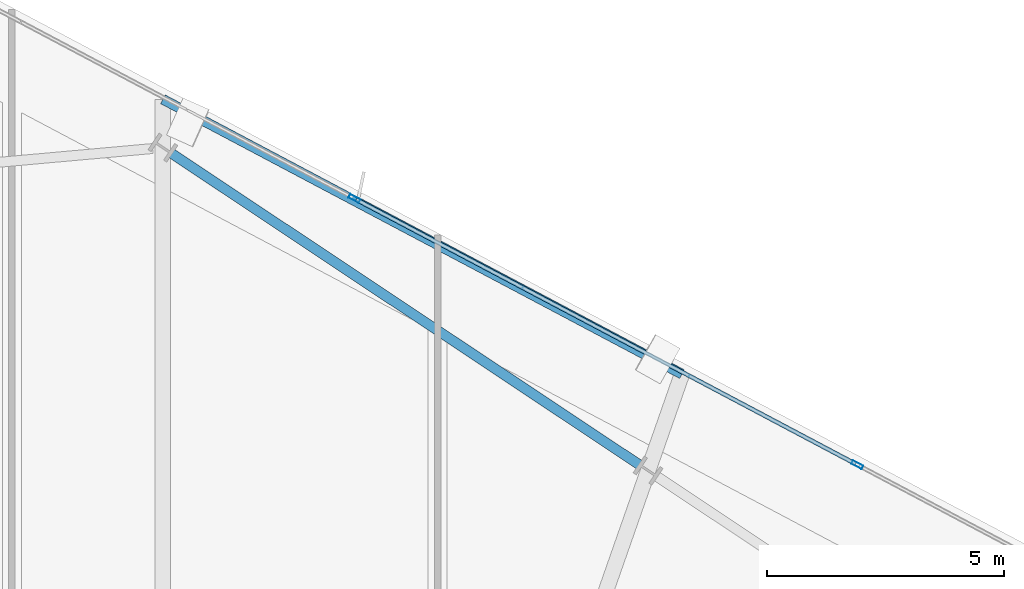
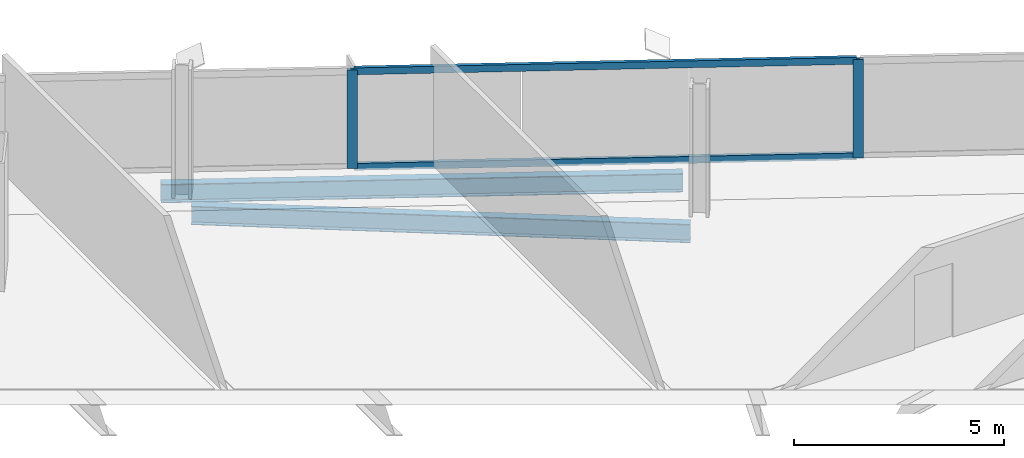
# One storey, part 18 of 28: 4 members, 2 beams, 1 element without a shape of its own.
"""IFC4 building model written with IfcOpenShell, lengths in metres."""

from ifc_helpers import new_model, si_unit, direction, frame, origin, origin_2d, place, context, subcontext, project, spatial, hollow_rectangle, i_section, extrude, material, material_profile, profile_set, type_object, element, aggregate, save


model = new_model("IFC4")

# Units and contexts
model_context = context("Model", 3, precision=1e-05, world=origin(), true_north=direction((0.0, 1.0)))
body_context = subcontext(model_context, "Body", "Model", "MODEL_VIEW")
ifc_project = project(units=[si_unit("LENGTHUNIT", "METRE"), si_unit("AREAUNIT", "SQUARE_METRE"), si_unit("VOLUMEUNIT", "CUBIC_METRE"), si_unit("PLANEANGLEUNIT", "RADIAN"), si_unit("MASSUNIT", "GRAM", prefix="KILO")], contexts=[model_context])

# Site, building, storey
site_placement = place(None, origin())
site = spatial("IfcSite", under=ifc_project, at=site_placement, CompositionType="ELEMENT")
building_placement = place(site_placement, origin())
building = spatial("IfcBuilding", under=site, at=building_placement, Name="Haldenkirk Collegiate Tower", CompositionType="ELEMENT")
storey_placement = place(building_placement, frame((0.0, 0.0, 235.949951171875)))
storey = spatial("IfcBuildingStorey", under=building, at=storey_placement, Name="L59", CompositionType="ELEMENT", Elevation=235.949951171875)

# Beams
ifc_material_1 = material(Name="Steel ASTM A992 Grade 50", Category="steel")
ifc_material_profile_1 = material_profile(ifc_material_1, i_section(OverallWidth=0.2099609375, OverallDepth=0.537109375, WebThickness=0.010986328125, FlangeThickness=0.017333984375, at=origin_2d()), Name="W21X68")
ifc_profile_set_1 = profile_set([ifc_material_profile_1], Name="Steel ASTM A992 Grade 50")
beam_type = type_object("IfcBeamType", Name="BM-SPANDREL-W21X68", PredefinedType="SPANDREL", material=ifc_profile_set_1)
beam_1_placement = place(storey_placement, frame((48.266845703125, 43.96240234375, -0.54833984375), z_axis=(-0.832429330124, 0.554131221237, 0.0), x_axis=(-0.554131221237, -0.832429330124, 0.0)))
element("IfcBeam", 1, at=beam_1_placement, inside=storey, type_object=beam_type, Name="L59 perimeter spandrel beam 07", PredefinedType="SPANDREL", context=body_context, shape_type="SweptSolid", body=[
    extrude(i_section(OverallWidth=0.2099609375, OverallDepth=0.537109375, WebThickness=0.010986328125, FlangeThickness=0.017333984375, at=origin_2d()), origin(), (0.0, 0.0, 1.0), 11.88525390625),
])
beam_2_placement = place(storey_placement, frame((49.162109375, 45.882080078125, -0.54833984375), z_axis=(-0.88377164858, 0.467918447132, 0.0), x_axis=(-0.467918447132, -0.88377164858, 0.0)))
element("IfcBeam", 2, at=beam_2_placement, inside=storey, type_object=beam_type, Name="L59 outer facade edge beam 2", PredefinedType="SPANDREL", context=body_context, shape_type="SweptSolid", body=[
    extrude(i_section(OverallWidth=0.2099609375, OverallDepth=0.537109375, WebThickness=0.010986328125, FlangeThickness=0.017333984375, at=origin_2d()), origin(), (0.0, 0.0, 1.0), 12.412109375),
])

# Curtain wall, members
ifc_material_2 = material(Name="Anodised architectural bronze aluminium", Category="aluminium")
curtain_wall_type = type_object("IfcCurtainWallType", Name="CW-SYS1B-CONVEX-HI", PredefinedType="USERDEFINED", material=ifc_material_2)
curtain_wall_placement = place(storey_placement, origin())
curtain_wall = element("IfcCurtainWall", 3, at=curtain_wall_placement, inside=storey, type_object=curtain_wall_type, Name="L59 Upper tower high-wind convex bronze unitised curtain wall", ObjectType="UNITISED CURTAIN WALL", PredefinedType="USERDEFINED")
ifc_material_profile_2 = material_profile(ifc_material_2, hollow_rectangle(XDim=0.0849609375, YDim=0.25, WallThickness=0.0048828125, at=origin_2d()), Name="CW-MUL-1B")
ifc_profile_set_2 = profile_set([ifc_material_profile_2], Name="Anodised architectural bronze aluminium")
member_type_1 = type_object("IfcMemberType", Name="CW-MUL-1B", PredefinedType="MULLION", material=ifc_profile_set_2)
member_1_placement = place(storey_placement, frame((42.239990234375, 49.592529296875, 0.0), z_axis=(0.0, 0.0, 1.0), x_axis=(0.46792987673, 0.883765597013, 0.0)))
member_1 = element("IfcMember", 4, at=member_1_placement, type_object=member_type_1, Name="CW-1B mullion 2", PredefinedType="MULLION", context=body_context, shape_type="SweptSolid", body=[
    extrude(hollow_rectangle(XDim=0.0849609375, YDim=0.25, WallThickness=0.0048828125, at=origin_2d()), origin(), (0.0, 0.0, 1.0), 2.858154296875),
])
member_2_placement = place(storey_placement, frame((52.8671875, 43.965576171875, 0.0), z_axis=(0.0, 0.0, 1.0), x_axis=(0.46792987673, 0.883765597013, 0.0)))
member_2 = element("IfcMember", 5, at=member_2_placement, type_object=member_type_1, Name="CW-1B mullion 3", PredefinedType="MULLION", context=body_context, shape_type="SweptSolid", body=[
    extrude(hollow_rectangle(XDim=0.0849609375, YDim=0.25, WallThickness=0.0048828125, at=origin_2d()), origin(), (0.0, 0.0, 1.0), 2.858154296875),
])
ifc_material_profile_3 = material_profile(ifc_material_2, hollow_rectangle(XDim=0.0849609375, YDim=0.199951171875, WallThickness=0.0048828125, at=origin_2d()), Name="CW-TRN-1B")
ifc_profile_set_3 = profile_set([ifc_material_profile_3], Name="Anodised architectural bronze aluminium")
member_type_2 = type_object("IfcMemberType", Name="CW-TRN-1B", PredefinedType="USERDEFINED", material=ifc_profile_set_3)
member_3_placement = place(storey_placement, frame((42.27734375, 49.572509765625, 0.04248046875), z_axis=(0.883764539236, -0.467931874518, 0.0), x_axis=(0.467931874518, 0.883764539236, 0.0)))
member_3 = element("IfcMember", 6, at=member_3_placement, type_object=member_type_2, Name="CW-1B transom 2.1", ObjectType="TRANSOM", PredefinedType="USERDEFINED", context=body_context, shape_type="SweptSolid", body=[
    extrude(hollow_rectangle(XDim=0.0849609375, YDim=0.199951171875, WallThickness=0.0048828125, at=origin_2d()), origin(), (0.0, 0.0, 1.0), 11.940185546875),
])
member_4_placement = place(storey_placement, frame((42.27734375, 49.572509765625, 2.8154296875), z_axis=(0.883764539236, -0.467931874518, 0.0), x_axis=(0.467931874518, 0.883764539236, 0.0)))
member_4 = element("IfcMember", 7, at=member_4_placement, type_object=member_type_2, Name="CW-1B transom 2.2", ObjectType="TRANSOM", PredefinedType="USERDEFINED", context=body_context, shape_type="SweptSolid", body=[
    extrude(hollow_rectangle(XDim=0.0849609375, YDim=0.199951171875, WallThickness=0.0048828125, at=origin_2d()), origin(), (0.0, 0.0, 1.0), 11.940185546875),
])
aggregate(curtain_wall, [member_1, member_2, member_3, member_4])

save(model, "model.ifc")
